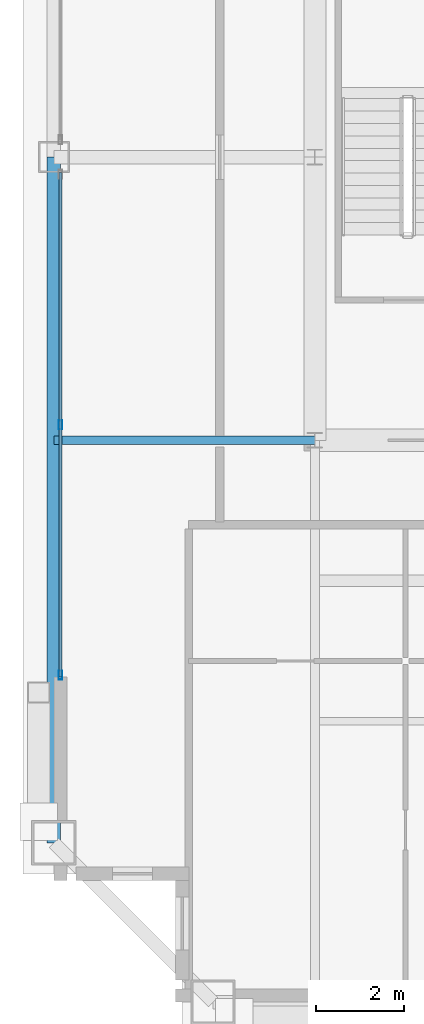
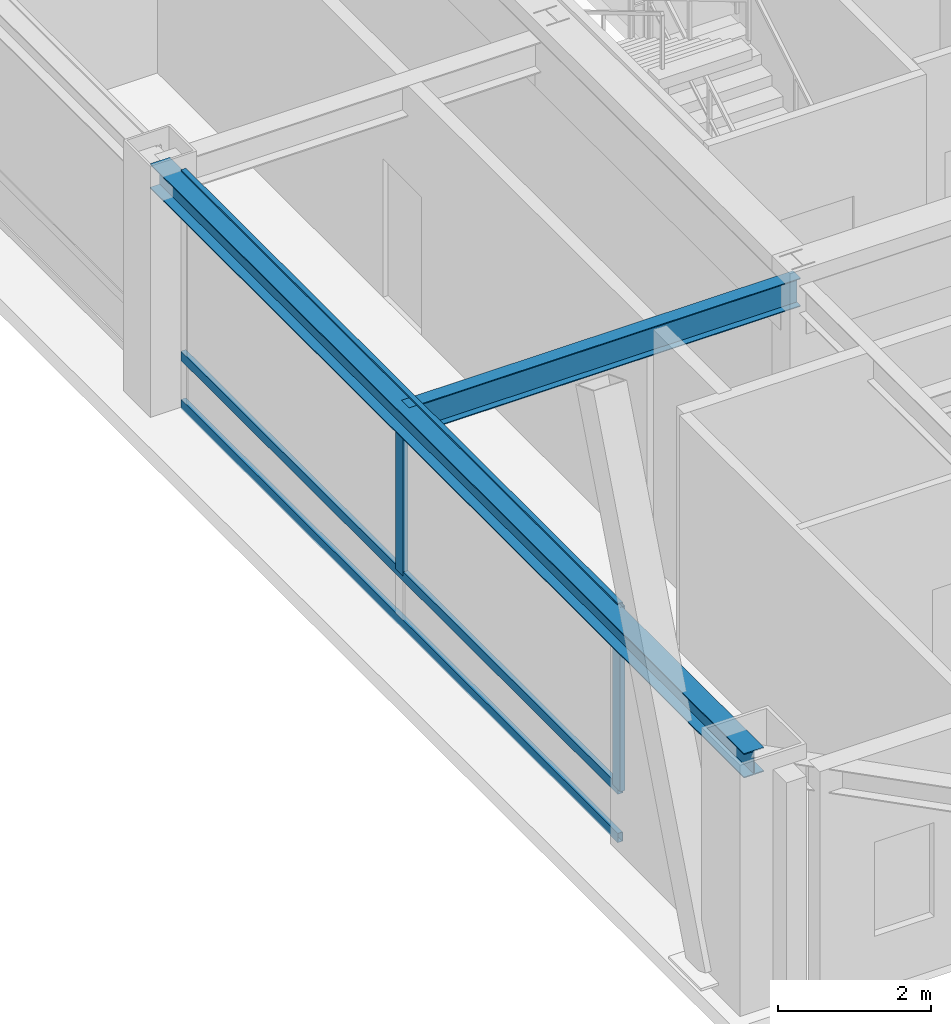
# One storey, part 6 of 35: 5 members, 2 beams, 1 element without a shape of its own.
"""IFC4 building model written with IfcOpenShell, lengths in metres."""

from ifc_helpers import new_model, si_unit, direction, frame, origin, origin_2d, place, context, subcontext, project, spatial, hollow_rectangle, i_section, extrude, source, transform, mapped, material, layer, layer_set, material_profile, profile_set, type_object, element, aggregate, save


model = new_model("IFC4")

# Units and contexts
model_context = context("Model", 3, precision=1e-05, world=origin(), true_north=direction((0.0, 1.0)))
body_context = subcontext(model_context, "Body", "Model", "MODEL_VIEW")
ifc_project = project(units=[si_unit("LENGTHUNIT", "METRE"), si_unit("AREAUNIT", "SQUARE_METRE"), si_unit("VOLUMEUNIT", "CUBIC_METRE"), si_unit("PLANEANGLEUNIT", "RADIAN"), si_unit("MASSUNIT", "GRAM", prefix="KILO"), si_unit("THERMODYNAMICTEMPERATUREUNIT", "KELVIN"), si_unit("POWERUNIT", "WATT")], contexts=[model_context])

# Site, building, storey
site_placement = place(None, origin())
site = spatial("IfcSite", under=ifc_project, at=site_placement, CompositionType="ELEMENT")
building_placement = place(site_placement, origin())
building = spatial("IfcBuilding", under=site, at=building_placement, Name="Yuzanri Waterfront Tower", CompositionType="ELEMENT")
storey_placement = place(building_placement, frame((0.0, 0.0, 343.199951171875)))
storey = spatial("IfcBuildingStorey", under=building, at=storey_placement, Name="L92", CompositionType="ELEMENT", Elevation=343.199951171875)

# Beams
ifc_material_1 = material(Name="Steel Q355B", Category="steel")
ifc_material_profile_1 = material_profile(ifc_material_1, i_section(OverallWidth=0.300048828125, OverallDepth=0.389892578125, WebThickness=0.010009765625, FlangeThickness=0.01611328125, at=origin_2d()), Name="HM 390x300x10x16")
ifc_profile_set_1 = profile_set([ifc_material_profile_1], Name="Steel Q355B")
beam_type_1 = type_object("IfcBeamType", Name="Perimeter Spandrel Q355B HM 390x300", PredefinedType="SPANDREL", material=ifc_profile_set_1)
shared_shape_1 = source(origin(), body_context, "Body", "SweptSolid", [
    extrude(i_section(OverallWidth=0.300048828125, OverallDepth=0.389892578125, WebThickness=0.010009765625, FlangeThickness=0.01611328125, at=origin_2d()), origin(), (0.0, 0.0, 1.0), 15.5),
])
beam_1_placement = place(storey_placement, frame((17.89990234375, 25.800048828125, 3.56494140625), z_axis=(0.0, -1.0, 0.0), x_axis=(1.0, 0.0, 0.0)))
element("IfcBeam", 1, at=beam_1_placement, inside=storey, type_object=beam_type_1, Name="L92 Perimeter Spandrel W2-W1", PredefinedType="SPANDREL", context=body_context, shape_type="MappedRepresentation", body=[
    mapped(shared_shape_1, transform((0.0, 0.0, 0.0), scale=1.0)),
])
ifc_material_2 = material(Name="Steel Q355B", Category="steel")
ifc_material_profile_2 = material_profile(ifc_material_2, i_section(OverallWidth=0.199951171875, OverallDepth=0.449951171875, WebThickness=0.009033203125, FlangeThickness=0.013916015625, at=origin_2d()), Name="HN 450x200x9x14")
ifc_profile_set_2 = profile_set([ifc_material_profile_2], Name="Steel Q355B")
beam_type_2 = type_object("IfcBeamType", Name="Secondary Floor Beam Q355B HN 450x200", PredefinedType="BEAM", material=ifc_profile_set_2)
shared_shape_2 = source(origin(), body_context, "Body", "SweptSolid", [
    extrude(i_section(OverallWidth=0.199951171875, OverallDepth=0.449951171875, WebThickness=0.009033203125, FlangeThickness=0.013916015625, at=origin_2d()), origin(), (0.0, 0.0, 1.0), 5.900146484375),
])
beam_2_placement = place(storey_placement, frame((23.800048828125, 19.39990234375, 3.53515625), z_axis=(-1.0, 0.0, 0.0), x_axis=(0.0, -1.0, 0.0)))
element("IfcBeam", 2, at=beam_2_placement, inside=storey, type_object=beam_type_2, Name="L92 West-South Core Line Beam", PredefinedType="BEAM", context=body_context, shape_type="MappedRepresentation", body=[
    mapped(shared_shape_2, transform((0.0, 0.0, 0.0), scale=1.0)),
])

# Curtain wall, members
ifc_material_3 = material(Name="Anodized Architectural Bronze", Category="metal")
ifc_layer = layer(ifc_material_3, 0.159912109375)
ifc_layer_set = layer_set([ifc_layer], Name="Anodized Architectural Bronze")
curtain_wall_type = type_object("IfcCurtainWallType", Name="Anodized Bronze High-Rise Penthouse High-Wind Unitized Curtain Wall 6900", PredefinedType="NOTDEFINED", material=ifc_layer_set)
curtain_wall_placement = place(storey_placement, origin())
curtain_wall = element("IfcCurtainWall", 3, at=curtain_wall_placement, inside=storey, type_object=curtain_wall_type, Name="L92 Curtain Wall CW-L92-WL", PredefinedType="NOTDEFINED")
ifc_material_4 = material(Name="Anodized Architectural Bronze", Category="metal")
ifc_material_profile_3 = material_profile(ifc_material_4, hollow_rectangle(XDim=0.074951171875, YDim=0.14990234375, WallThickness=0.00390625, at=origin_2d()), Name="CWT 75x150")
ifc_profile_set_3 = profile_set([ifc_material_profile_3], Name="Anodized Architectural Bronze")
member_type_1 = type_object("IfcMemberType", Name="Anodized Bronze Primary Curtain-Wall Transom 75x150", PredefinedType="USERDEFINED", material=ifc_profile_set_3)
shared_shape_3 = source(origin(), body_context, "Body", "SweptSolid", [
    extrude(hollow_rectangle(XDim=0.074951171875, YDim=0.14990234375, WallThickness=0.00390625, at=origin_2d()), origin(), (0.0, 0.0, 1.0), 11.39990234375),
])
member_1_placement = place(storey_placement, frame((18.050048828125, 14.050048828125, 0.050048828125), z_axis=(0.0, 1.0, 0.0), x_axis=(-1.0, 0.0, 0.0)))
member_1 = element("IfcMember", 4, at=member_1_placement, type_object=member_type_1, Name="CW-L92-WL Transom 1", ObjectType="TRANSOM", PredefinedType="USERDEFINED", context=body_context, shape_type="MappedRepresentation", body=[
    mapped(shared_shape_3, transform((0.0, 0.0, 0.0), scale=1.0)),
])
member_2_placement = place(storey_placement, frame((18.050048828125, 14.050048828125, 0.820068359375), z_axis=(0.0, 1.0, 0.0), x_axis=(-1.0, 0.0, 0.0)))
member_2 = element("IfcMember", 5, at=member_2_placement, type_object=member_type_1, Name="CW-L92-WL Transom 2", ObjectType="TRANSOM", PredefinedType="USERDEFINED", context=body_context, shape_type="MappedRepresentation", body=[
    mapped(shared_shape_3, transform((0.0, 0.0, 0.0), scale=1.0)),
])
member_3_placement = place(storey_placement, frame((18.050048828125, 14.050048828125, 3.7099609375), z_axis=(0.0, 1.0, 0.0), x_axis=(-1.0, 0.0, 0.0)))
member_3 = element("IfcMember", 6, at=member_3_placement, type_object=member_type_1, Name="CW-L92-WL Transom 3", ObjectType="TRANSOM", PredefinedType="USERDEFINED", context=body_context, shape_type="MappedRepresentation", body=[
    mapped(shared_shape_3, transform((0.0, 0.0, 0.0), scale=1.0)),
])
ifc_material_5 = material(Name="Anodized Architectural Bronze", Category="metal")
ifc_material_profile_4 = material_profile(ifc_material_5, hollow_rectangle(XDim=0.074951171875, YDim=0.199951171875, WallThickness=0.00390625, at=origin_2d()), Name="CWM 75x200")
ifc_profile_set_4 = profile_set([ifc_material_profile_4], Name="Anodized Architectural Bronze")
member_type_2 = type_object("IfcMemberType", Name="Anodized Bronze Primary Curtain-Wall Mullion 75x200", PredefinedType="MULLION", material=ifc_profile_set_4)
shared_shape_4 = source(origin(), body_context, "Body", "SweptSolid", [
    extrude(hollow_rectangle(XDim=0.074951171875, YDim=0.199951171875, WallThickness=0.00390625, at=origin_2d()), origin(), (0.0, 0.0, 1.0), 2.93798828125),
])
member_4_placement = place(storey_placement, frame((18.050048828125, 14.090087890625, 0.822021484375), z_axis=(0.0, 0.0, 1.0), x_axis=(1.0, 0.0, 0.0)))
member_4 = element("IfcMember", 7, at=member_4_placement, type_object=member_type_2, Name="CW-L92-WL Upper Mullion 00", PredefinedType="MULLION", context=body_context, shape_type="MappedRepresentation", body=[
    mapped(shared_shape_4, transform((0.0, 0.0, 0.0), scale=1.0)),
])
member_5_placement = place(storey_placement, frame((18.050048828125, 19.75, 0.822021484375), z_axis=(0.0, 0.0, 1.0), x_axis=(1.0, 0.0, 0.0)))
member_5 = element("IfcMember", 8, at=member_5_placement, type_object=member_type_2, Name="CW-L92-WL Upper Mullion 01", PredefinedType="MULLION", context=body_context, shape_type="MappedRepresentation", body=[
    mapped(shared_shape_4, transform((0.0, 0.0, 0.0), scale=1.0)),
])
aggregate(curtain_wall, [member_4, member_5, member_1, member_2, member_3])

save(model, "model.ifc")
